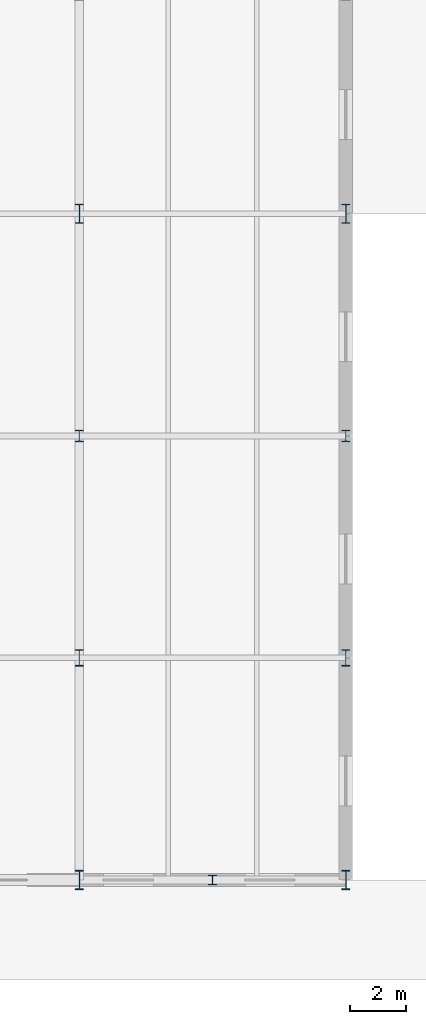
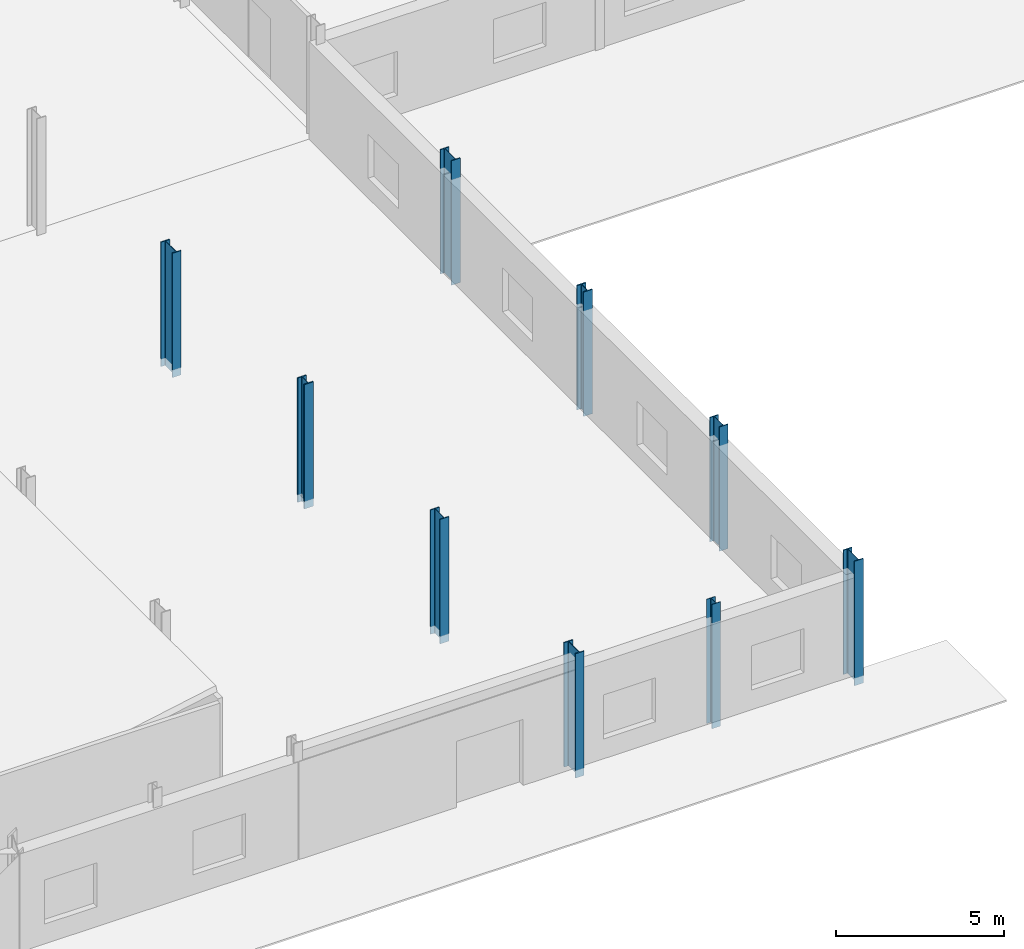
# One storey, part 5 of 78: 9 columns.
"""IFC4 building model written with IfcOpenShell, lengths in metres."""

from ifc_helpers import new_model, si_unit, direction, frame, origin, origin_2d, place, context, subcontext, project, spatial, i_section, extrude, material, material_profile, profile_set, type_object, element, save


model = new_model("IFC4")

# Units and contexts
model_context = context("Model", 3, precision=1e-05, world=origin(), true_north=direction((0.0, 1.0)))
body_context = subcontext(model_context, "Body", "Model", "MODEL_VIEW")
ifc_project = project(units=[si_unit("LENGTHUNIT", "METRE"), si_unit("AREAUNIT", "SQUARE_METRE"), si_unit("VOLUMEUNIT", "CUBIC_METRE"), si_unit("PLANEANGLEUNIT", "RADIAN"), si_unit("MASSUNIT", "GRAM", prefix="KILO")], contexts=[model_context])

# Site, building, storey
site_placement = place(None, origin())
site = spatial("IfcSite", under=ifc_project, at=site_placement, CompositionType="ELEMENT")
building_placement = place(site_placement, origin())
building = spatial("IfcBuilding", under=site, at=building_placement, Name="Alderhovde Museum", CompositionType="ELEMENT")
storey_placement = place(building_placement, origin())
storey = spatial("IfcBuildingStorey", under=building, at=storey_placement, Name="L00", CompositionType="ELEMENT", Elevation=0.0)

# Columns
ifc_material_1 = material(Name="Steel S355J2", Category="steel")
ifc_material_profile_1 = material_profile(ifc_material_1, i_section(OverallWidth=0.300048828125, OverallDepth=0.60009765625, WebThickness=0.015380859375, FlangeThickness=0.030029296875, FilletRadius=0.027099609375, at=origin_2d()), Name="HEB 600")
ifc_profile_set_1 = profile_set([ifc_material_profile_1], Name="Steel S355J2")
column_type_1 = type_object("IfcColumnType", Name="COL-HEB600", PredefinedType="COLUMN", material=ifc_profile_set_1)
for number, where, z_axis, x_axis, name in (
    (1, (105.60009765625, 8.0, -0.280029296875), (0.0, 0.0, 1.0), (1.0, 0.0, 0.0), "L00 Column (105.6, 8.0)"),
    (2, (115.199951171875, 8.0, -0.280029296875), (0.0, 0.0, 1.0), (1.0, 0.0, 0.0), "L00 Column (115.2, 8.0)"),
):
    element("IfcColumn", number, at=place(storey_placement, frame(where, z_axis=z_axis, x_axis=x_axis)), inside=storey, type_object=column_type_1, Name=name, PredefinedType="COLUMN", context=body_context, shape_type="SweptSolid", body=[
        extrude(i_section(OverallWidth=0.300048828125, OverallDepth=0.60009765625, WebThickness=0.015380859375, FlangeThickness=0.030029296875, FilletRadius=0.027099609375, at=origin_2d()), origin(), (0.0, 0.0, 1.0), 4.52001953125),
    ])
ifc_material_2 = material(Name="Steel S355J2", Category="steel")
ifc_material_profile_2 = material_profile(ifc_material_2, i_section(OverallWidth=0.300048828125, OverallDepth=0.699951171875, WebThickness=0.01708984375, FlangeThickness=0.031982421875, FilletRadius=0.027099609375, at=origin_2d()), Name="HEB 700")
ifc_profile_set_2 = profile_set([ifc_material_profile_2], Name="Steel S355J2")
column_type_2 = type_object("IfcColumnType", Name="COL-HEB700", PredefinedType="COLUMN", material=ifc_profile_set_2)
for number, where, z_axis, x_axis, name in (
    (3, (105.60009765625, 0.0, -0.280029296875), (0.0, 0.0, 1.0), (1.0, 0.0, 0.0), "L00 Column (105.6, 0.0)"),
    (4, (105.60009765625, 24.0, -0.280029296875), (0.0, 0.0, 1.0), (1.0, 0.0, 0.0), "L00 Column (105.6, 24.0)"),
    (5, (115.199951171875, 0.0, -0.280029296875), (0.0, 0.0, 1.0), (1.0, 0.0, 0.0), "L00 Column (115.2, 0.0)"),
    (6, (115.199951171875, 24.0, -0.280029296875), (0.0, 0.0, 1.0), (1.0, 0.0, 0.0), "L00 Column (115.2, 24.0)"),
):
    element("IfcColumn", number, at=place(storey_placement, frame(where, z_axis=z_axis, x_axis=x_axis)), inside=storey, type_object=column_type_2, Name=name, PredefinedType="COLUMN", context=body_context, shape_type="SweptSolid", body=[
        extrude(i_section(OverallWidth=0.300048828125, OverallDepth=0.699951171875, WebThickness=0.01708984375, FlangeThickness=0.031982421875, FilletRadius=0.027099609375, at=origin_2d()), origin(), (0.0, 0.0, 1.0), 4.52001953125),
    ])
ifc_material_3 = material(Name="Steel S355J2", Category="steel")
ifc_material_profile_3 = material_profile(ifc_material_3, i_section(OverallWidth=0.306884765625, OverallDepth=0.431884765625, WebThickness=0.02099609375, FlangeThickness=0.0400390625, FilletRadius=0.027099609375, at=origin_2d()), Name="HEM 400")
ifc_profile_set_3 = profile_set([ifc_material_profile_3], Name="Steel S355J2")
column_type_3 = type_object("IfcColumnType", Name="COL-HEM400", PredefinedType="COLUMN", material=ifc_profile_set_3)
for number, where, z_axis, x_axis, name in (
    (7, (105.60009765625, 16.0, -0.280029296875), (0.0, 0.0, 1.0), (1.0, 0.0, 0.0), "L00 Column (105.6, 16.0)"),
    (8, (115.199951171875, 16.0, -0.280029296875), (0.0, 0.0, 1.0), (1.0, 0.0, 0.0), "L00 Column (115.2, 16.0)"),
):
    element("IfcColumn", number, at=place(storey_placement, frame(where, z_axis=z_axis, x_axis=x_axis)), inside=storey, type_object=column_type_3, Name=name, PredefinedType="COLUMN", context=body_context, shape_type="SweptSolid", body=[
        extrude(i_section(OverallWidth=0.306884765625, OverallDepth=0.431884765625, WebThickness=0.02099609375, FlangeThickness=0.0400390625, FilletRadius=0.027099609375, at=origin_2d()), origin(), (0.0, 0.0, 1.0), 4.52001953125),
    ])
ifc_material_4 = material(Name="Steel S355J2", Category="steel")
ifc_material_profile_4 = material_profile(ifc_material_4, i_section(OverallWidth=0.300048828125, OverallDepth=0.330078125, WebThickness=0.009521484375, FlangeThickness=0.0166015625, FilletRadius=0.027099609375, at=origin_2d()), Name="HEA 340")
ifc_profile_set_4 = profile_set([ifc_material_profile_4], Name="Steel S355J2")
column_type_4 = type_object("IfcColumnType", Name="PIL-HEA340", PredefinedType="PILASTER", material=ifc_profile_set_4)
column_placement = place(storey_placement, frame((110.39990234375, 0.0, -0.280029296875), z_axis=(0.0, 0.0, 1.0), x_axis=(1.0, 0.0, 0.0)))
element("IfcColumn", 9, at=column_placement, inside=storey, type_object=column_type_4, Name="L00 Structural Pilaster (110.4, 0.0)", PredefinedType="PILASTER", context=body_context, shape_type="SweptSolid", body=[
    extrude(i_section(OverallWidth=0.300048828125, OverallDepth=0.330078125, WebThickness=0.009521484375, FlangeThickness=0.0166015625, FilletRadius=0.027099609375, at=origin_2d()), origin(), (0.0, 0.0, 1.0), 4.52001953125),
])

save(model, "model.ifc")
